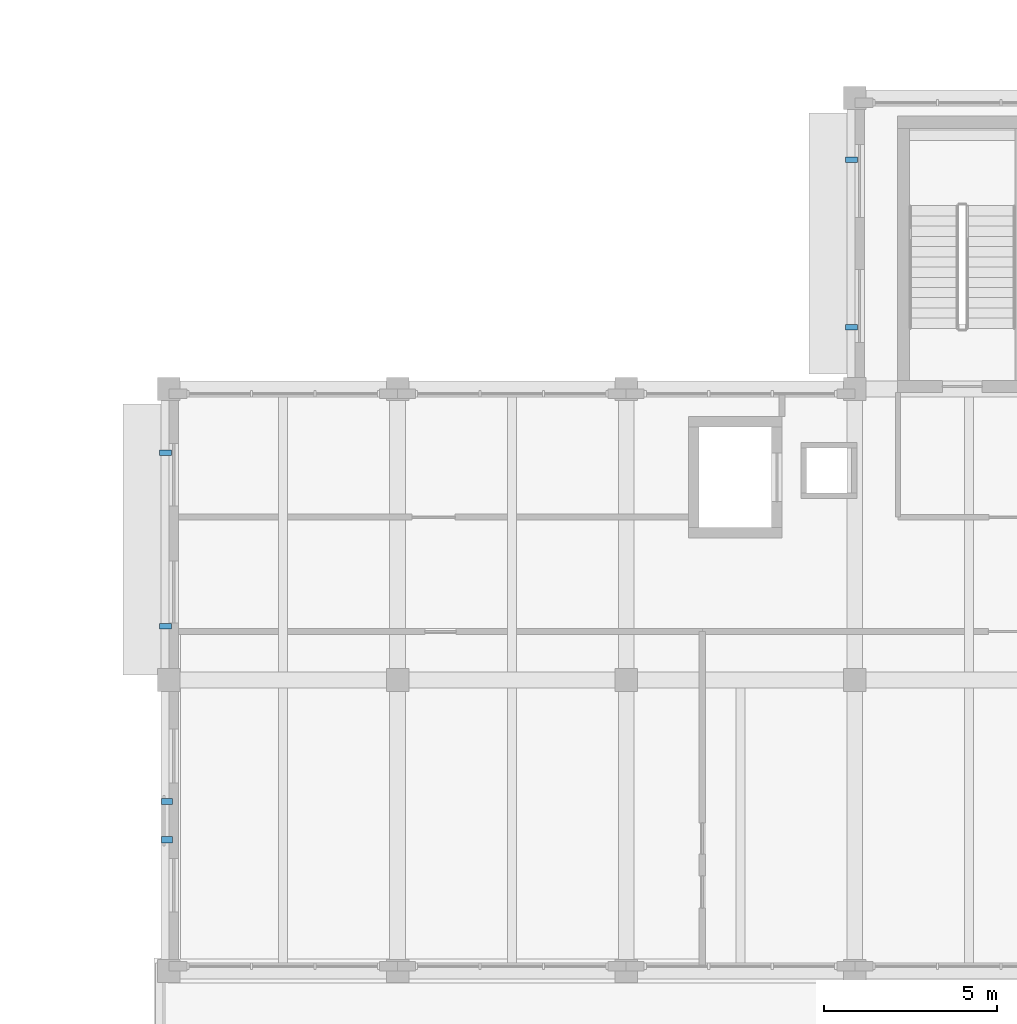
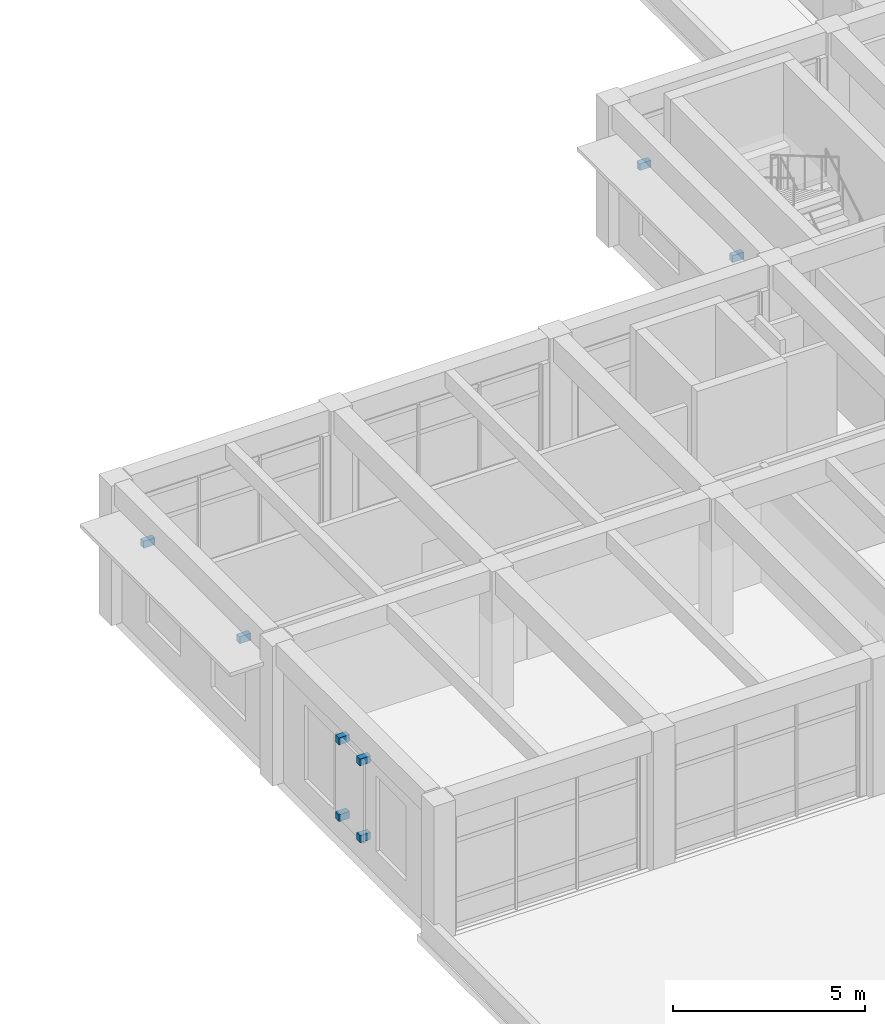
# One storey, part 38 of 50: 8 discrete accessories.
"""IFC4 building model written with IfcOpenShell, lengths in metres."""

import ifcopenshell
import ifcopenshell.guid

model = None  # the IFC model being written
_history = None  # IfcOwnerHistory: only IFC2X3 demands one
_inside = {}  # id of a spatial element -> (the spatial element, [elements in it])
_under = {}  # id of a project, library or spatial element -> (it, [spatial elements below it])
_declared = {}  # id of a project -> (the project, [libraries it declares])
_typed = {}  # id of a type object -> (the type object, [elements of that type])
_made_of = {}  # id of a material, layer set ... -> (it, [elements and type objects made of it])


def new_model(schema):
    """Start an empty IFC model of exactly this schema.

    Asked for "IFC4X3", IfcOpenShell would pick the latest addendum, in which some entities
    have other attributes; the version numbers below select the first issue.
    IFC2X3 requires an IfcOwnerHistory on every rooted entity: one is made here for all.
    """
    global model, _history
    if schema == "IFC4X3":
        model = ifcopenshell.file(schema_version=(4, 3, 0, 0))
    else:
        model = ifcopenshell.file(schema=schema)
    _inside.clear()
    _under.clear()
    _declared.clear()
    _typed.clear()
    _made_of.clear()
    _history = None
    if model.schema == "IFC2X3":
        org = make("IfcOrganization", Name="unknown")
        user = make(
            "IfcPersonAndOrganization",
            ThePerson=make("IfcPerson", FamilyName="unknown"),
            TheOrganization=org,
        )
        app = make(
            "IfcApplication",
            ApplicationDeveloper=org,
            Version="unknown",
            ApplicationFullName="unknown",
            ApplicationIdentifier="unknown",
        )
        _history = make(
            "IfcOwnerHistory",
            OwningUser=user,
            OwningApplication=app,
            ChangeAction="ADDED",
            CreationDate=0,
        )
    return model


def make(cls, **values):
    """One entity of the class cls with the attributes given. An attribute that is None is left unset."""
    return model.create_entity(
        cls, **{name: value for name, value in values.items() if value is not None}
    )


def rooted(cls, **values):
    """An entity with a GlobalId (a new one), such as an element, a storey or a relation."""
    return make(cls, GlobalId=ifcopenshell.guid.new(), OwnerHistory=_history, **values)


def si_unit(unit_type, name, prefix=None):
    """IfcSIUnit, for example si_unit("LENGTHUNIT", "METRE", prefix="MILLI")."""
    return make("IfcSIUnit", UnitType=unit_type, Prefix=prefix, Name=name)


def assignment(units):
    """IfcUnitAssignment: the units of a project."""
    return None if units is None else make("IfcUnitAssignment", Units=units)


def point(xyz):
    """IfcCartesianPoint."""
    return None if xyz is None else make("IfcCartesianPoint", Coordinates=xyz)


def direction(xyz):
    """IfcDirection."""
    return None if xyz is None else make("IfcDirection", DirectionRatios=xyz)


def frame(location, z_axis=None, x_axis=None):
    """IfcAxis2Placement3D, a coordinate frame: its origin and axes. An axis left out is left unset."""
    return make(
        "IfcAxis2Placement3D",
        Location=point(location),
        Axis=direction(z_axis),
        RefDirection=direction(x_axis),
    )


def frame_2d(location, x_axis=None):
    """IfcAxis2Placement2D, a coordinate frame in the plane: its origin and x axis."""
    return make(
        "IfcAxis2Placement2D", Location=point(location), RefDirection=direction(x_axis)
    )


def origin():
    """The frame at (0, 0, 0) with its axes left unset."""
    return frame((0.0, 0.0, 0.0))


def origin_2d():
    """The frame at (0, 0) in the plane with its x axis left unset."""
    return frame_2d((0.0, 0.0))


def place(relative_to, where):
    """IfcLocalPlacement: puts the frame where relative to a parent placement (None: the world)."""
    return make(
        "IfcLocalPlacement", PlacementRelTo=relative_to, RelativePlacement=where
    )


def context(
    kind, dimensions, precision=None, world=None, true_north=None, identifier=None
):
    """IfcGeometricRepresentationContext, for example the 3D "Model" context."""
    return make(
        "IfcGeometricRepresentationContext",
        ContextIdentifier=identifier,
        ContextType=kind,
        CoordinateSpaceDimension=dimensions,
        Precision=precision,
        WorldCoordinateSystem=world,
        TrueNorth=true_north,
    )


def subcontext(parent, identifier, kind, view, scale=None):
    """IfcGeometricRepresentationSubContext, for example "Body" below "Model"."""
    return make(
        "IfcGeometricRepresentationSubContext",
        ContextIdentifier=identifier,
        ContextType=kind,
        ParentContext=parent,
        TargetScale=scale,
        TargetView=view,
    )


def project(units=None, contexts=None):
    """IfcProject with its units and contexts."""
    return rooted(
        "IfcProject",
        Name="project",
        RepresentationContexts=contexts,
        UnitsInContext=assignment(units),
    )


def spatial(cls, under=None, at=None, **own):
    """A site, building, storey or space (cls), placed at a placement, below another one or the project."""
    s = rooted(cls, ObjectPlacement=at, **own)
    if under is not None:
        _under.setdefault(under.id(), (under, []))[1].append(s)
    return s


def profile(cls, at=None, kind="AREA", **sizes):
    """A parametric profile (cls). Its sizes go by their IFC names, for example OverallWidth=200.0."""
    return make(cls, ProfileType=kind, Position=at, **sizes)


def rectangle(**sizes):
    """IfcRectangleProfileDef."""
    return profile("IfcRectangleProfileDef", **sizes)


def extrude(swept, where, along, depth):
    """IfcExtrudedAreaSolid: the profile swept, set in the frame where, extruded along a direction by depth."""
    return make(
        "IfcExtrudedAreaSolid",
        SweptArea=swept,
        Position=where,
        ExtrudedDirection=direction(along),
        Depth=depth,
    )


def shape(context_of_items, identifier, shape_type, items):
    """IfcShapeRepresentation: the items that make up one representation, for example the "Body"."""
    return make(
        "IfcShapeRepresentation",
        ContextOfItems=context_of_items,
        RepresentationIdentifier=identifier,
        RepresentationType=shape_type,
        Items=items,
    )


def material(Name=None, Category=None):
    """IfcMaterial."""
    return make("IfcMaterial", Name=Name, Category=Category)


def made_of(thing, what):
    """Note that an element or type object is made of a material, layer set ...; save() writes the relation."""
    if what is not None:
        _made_of.setdefault(what.id(), (what, []))[1].append(thing)
    return thing


def type_object(cls, material=None, **own):
    """A type object (cls), such as IfcWallType, which elements share."""
    return made_of(rooted(cls, **own), material)


def element(
    cls,
    number,
    at=None,
    inside=None,
    cuts=None,
    type_object=None,
    material=None,
    context=None,
    identifier="Body",
    shape_type=None,
    held_by="IfcProductDefinitionShape",
    body=None,
    shapes=None,
    **own,
):
    """One element of the class cls, such as IfcWall. Its Tag is "e" and its number.

    at: its placement. inside: the storey or other place that contains it. cuts: it is an
    opening in that element (IfcRelVoidsElement). A single representation is given by context,
    identifier, shape_type and body (its items); several are given by shapes. held_by: the class
    of the entity that holds the representations. save() writes the other relations.
    """
    e = rooted(cls, Tag="e%d" % number, ObjectPlacement=at, **own)
    if body is not None:
        shapes = [shape(context, identifier, shape_type, body)]
    if shapes is not None:
        e.Representation = make(held_by, Representations=shapes)
    if inside is not None:
        _inside.setdefault(inside.id(), (inside, []))[1].append(e)
    if cuts is not None:
        rooted(
            "IfcRelVoidsElement", RelatingBuildingElement=cuts, RelatedOpeningElement=e
        )
    if type_object is not None:
        _typed.setdefault(type_object.id(), (type_object, []))[1].append(e)
    return made_of(e, material)


def aggregate(whole, parts):
    """IfcRelAggregates: a whole, such as a stair, and the parts it consists of."""
    return rooted("IfcRelAggregates", RelatingObject=whole, RelatedObjects=parts)


def save(model, path):
    """Write the relations noted so far, then the file.

    IfcRelAggregates (storeys below a building ...), IfcRelContainedInSpatialStructure (elements
    in a storey), IfcRelDefinesByType, IfcRelAssociatesMaterial and IfcRelDeclares: one each for
    every whole, place, type object, material and project.
    """
    for whole, parts in _under.values():
        aggregate(whole, parts)
    for where, things in _inside.values():
        rooted(
            "IfcRelContainedInSpatialStructure",
            RelatedElements=things,
            RelatingStructure=where,
        )
    for kind, things in _typed.values():
        rooted("IfcRelDefinesByType", RelatedObjects=things, RelatingType=kind)
    for what, things in _made_of.values():
        rooted("IfcRelAssociatesMaterial", RelatedObjects=things, RelatingMaterial=what)
    for by, libraries in _declared.values():
        rooted("IfcRelDeclares", RelatingContext=by, RelatedDefinitions=libraries)
    model.write(path)


model = new_model("IFC4")

# Units and contexts
model_context = context("Model", 3, precision=1e-05, world=origin(), true_north=direction((0.0, 1.0)))
body_context = subcontext(model_context, "Body", "Model", "MODEL_VIEW")
ifc_project = project(units=[si_unit("LENGTHUNIT", "METRE"), si_unit("AREAUNIT", "SQUARE_METRE"), si_unit("VOLUMEUNIT", "CUBIC_METRE"), si_unit("PLANEANGLEUNIT", "RADIAN"), si_unit("MASSUNIT", "GRAM", prefix="KILO")], contexts=[model_context])

# Site, building, storey
site_placement = place(None, origin())
site = spatial("IfcSite", under=ifc_project, at=site_placement, CompositionType="ELEMENT")
building_placement = place(site_placement, origin())
building = spatial("IfcBuilding", under=site, at=building_placement, Name="Kolvaren Faculty of Natural Sciences", CompositionType="ELEMENT")
storey_placement = place(building_placement, frame((0.0, 0.0, 15.0)))
storey = spatial("IfcBuildingStorey", under=building, at=storey_placement, Name="L03", CompositionType="ELEMENT", Elevation=15.0)

# Discrete accessories
ifc_material = material(Name="Structural steel EN 10025-2 S355J2", Category="steel")
discrete_accessory_type = type_object("IfcDiscreteAccessoryType", Name="FacadeSupportBracket_260", PredefinedType="BRACKET", material=ifc_material)
for number, where, z_axis, x_axis, name in (
    (1, (125.5, 35.587158203125, 3.365234375), (0.0, 0.0, 1.0), (0.0, 1.0, 0.0), "L03 chhajja hood steel bracket"),
    (2, (125.5, 40.412841796875, 3.365234375), (0.0, 0.0, 1.0), (0.0, 1.0, 0.0), "L03 chhajja hood steel bracket"),
):
    element("IfcDiscreteAccessory", number, at=place(storey_placement, frame(where, z_axis=z_axis, x_axis=x_axis)), inside=storey, type_object=discrete_accessory_type, Name=name, PredefinedType="BRACKET", context=body_context, shape_type="SweptSolid", body=[
        extrude(rectangle(XDim=0.159912109375, YDim=0.340087890625, at=origin_2d()), origin(), (0.0, 0.0, 1.0), 0.219970703125),
    ])
for number, where, z_axis, x_axis, name in (
    (3, (105.739990234375, 20.7890625, 0.81982421875), (0.0, 0.0, 1.0), (0.0, 1.0, 0.0), "L03 jali screen wall bracket"),
    (4, (105.739990234375, 21.89111328125, 0.81982421875), (0.0, 0.0, 1.0), (0.0, 1.0, 0.0), "L03 jali screen wall bracket"),
    (5, (105.739990234375, 20.7890625, 3.26025390625), (0.0, 0.0, 1.0), (0.0, 1.0, 0.0), "L03 jali screen wall bracket"),
    (6, (105.739990234375, 21.89111328125, 3.26025390625), (0.0, 0.0, 1.0), (0.0, 1.0, 0.0), "L03 jali screen wall bracket"),
):
    element("IfcDiscreteAccessory", number, at=place(storey_placement, frame(where, z_axis=z_axis, x_axis=x_axis)), inside=storey, type_object=discrete_accessory_type, Name=name, PredefinedType="BRACKET", context=body_context, shape_type="SweptSolid", body=[
        extrude(rectangle(XDim=0.179931640625, YDim=0.320068359375, at=origin_2d()), origin(), (0.0, 0.0, 1.0), 0.219970703125),
    ])
for number, where, z_axis, x_axis, name in (
    (7, (105.699951171875, 26.95751953125, 3.4150390625), (0.0, 0.0, 1.0), (0.0, 1.0, 0.0), "L03 chhajja hood steel bracket"),
    (8, (105.699951171875, 31.96240234375, 3.4150390625), (0.0, 0.0, 1.0), (0.0, 1.0, 0.0), "L03 chhajja hood steel bracket"),
):
    element("IfcDiscreteAccessory", number, at=place(storey_placement, frame(where, z_axis=z_axis, x_axis=x_axis)), inside=storey, type_object=discrete_accessory_type, Name=name, PredefinedType="BRACKET", context=body_context, shape_type="SweptSolid", body=[
        extrude(rectangle(XDim=0.159912109375, YDim=0.340087890625, at=origin_2d()), origin(), (0.0, 0.0, 1.0), 0.219970703125),
    ])

save(model, "model.ifc")
